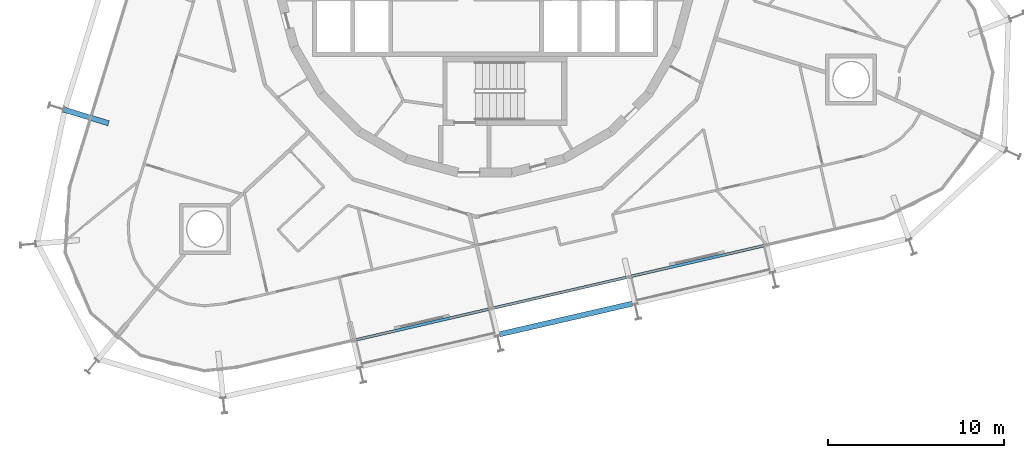
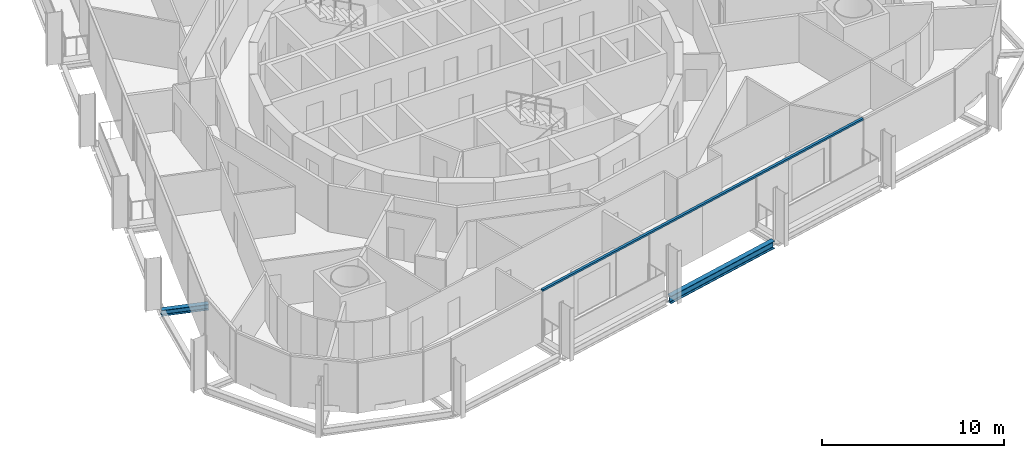
# One storey, part 4 of 18: 2 beams, 1 member, 1 element without a shape of its own.
"""IFC4 building model written with IfcOpenShell, lengths in metres."""

from ifc_helpers import new_model, si_unit, direction, frame, origin, origin_2d, place, context, subcontext, project, spatial, rectangle, i_section, extrude, material, layer, layer_set, material_profile, profile_set, type_object, element, aggregate, save


model = new_model("IFC4")

# Units and contexts
model_context = context("Model", 3, precision=1e-05, world=origin(), true_north=direction((0.0, 1.0)))
body_context = subcontext(model_context, "Body", "Model", "MODEL_VIEW")
ifc_project = project(units=[si_unit("LENGTHUNIT", "METRE"), si_unit("AREAUNIT", "SQUARE_METRE"), si_unit("VOLUMEUNIT", "CUBIC_METRE"), si_unit("PLANEANGLEUNIT", "RADIAN"), si_unit("MASSUNIT", "GRAM", prefix="KILO")], contexts=[model_context])

# Site, building, storey
site_placement = place(None, origin())
site = spatial("IfcSite", under=ifc_project, at=site_placement, CompositionType="ELEMENT")
building_placement = place(site_placement, origin())
building = spatial("IfcBuilding", under=site, at=building_placement, Name="Spindle Arch Residences", CompositionType="ELEMENT")
storey_placement = place(building_placement, frame((0.0, 0.0, 134.39990234375)))
storey = spatial("IfcBuildingStorey", under=building, at=storey_placement, Name="L33", CompositionType="ELEMENT", Elevation=134.39990234375)

# Curtain wall, member
ifc_material_1 = material(Name="Aluminium bronze unitised frame with tinted glass", Category="aluminium")
ifc_layer = layer(ifc_material_1, 0.159912109375)
ifc_layer_set = layer_set([ifc_layer], Name="CW-C typical residential unitised wall")
curtain_wall_type = type_object("IfcCurtainWallType", Name="CW-C typical residential unitised wall", PredefinedType="NOTDEFINED", material=ifc_layer_set)
curtain_wall_placement = place(storey_placement, origin())
curtain_wall = element("IfcCurtainWall", 1, at=curtain_wall_placement, inside=storey, type_object=curtain_wall_type, Name="CW-C L33 run 6", PredefinedType="NOTDEFINED")
ifc_material_2 = material(Name="Aluminium bronze anodised transom", Category="aluminium")
ifc_material_profile_1 = material_profile(ifc_material_2, rectangle(XDim=0.159912109375, YDim=0.1201171875, at=origin_2d()), Name="TR 120x160")
ifc_profile_set_1 = profile_set([ifc_material_profile_1], Name="Aluminium bronze anodised transom")
member_type = type_object("IfcMemberType", Name="Bronze transom 120x160", PredefinedType="USERDEFINED", material=ifc_profile_set_1)
member_placement = place(storey_placement, frame((-7.438232421875, -21.187255859375, 3.06005859375), z_axis=(0.974369784879, 0.224952266747, 0.0), x_axis=(-0.224952266747, 0.974369784879, 0.0)))
member = element("IfcMember", 2, at=member_placement, type_object=member_type, Name="CW-C transom 00", ObjectType="TRANSOM", PredefinedType="USERDEFINED", context=body_context, shape_type="SweptSolid", body=[
    extrude(rectangle(XDim=0.159912109375, YDim=0.1201171875, at=origin_2d()), origin(), (0.0, 0.0, 1.0), 24.02734375),
])
aggregate(curtain_wall, [member])

# Beams
ifc_material_3 = material(Name="Steel S460ML, intumescent coating R 120", Category="steel")
ifc_material_profile_2 = material_profile(ifc_material_3, i_section(OverallWidth=0.300048828125, OverallDepth=0.5, WebThickness=0.014404296875, FlangeThickness=0.028076171875, FilletRadius=0.027099609375, at=origin_2d()), Name="HEB 500")
ifc_profile_set_2 = profile_set([ifc_material_profile_2], Name="Steel S460ML, intumescent coating R 120")
beam_type_1 = type_object("IfcBeamType", Name="Exoskeleton edge beam HEB 500", PredefinedType="BEAM", material=ifc_profile_set_2)
beam_1_placement = place(storey_placement, frame((0.82666015625, -20.849365234375, -0.6298828125), z_axis=(0.974366827477, 0.224965076206, 0.0), x_axis=(-0.224965076206, 0.974366827477, 0.0)))
element("IfcBeam", 3, at=beam_1_placement, inside=storey, type_object=beam_type_1, Name="Exoskeleton edge beam 22", PredefinedType="BEAM", context=body_context, shape_type="SweptSolid", body=[
    extrude(i_section(OverallWidth=0.300048828125, OverallDepth=0.5, WebThickness=0.014404296875, FlangeThickness=0.028076171875, FilletRadius=0.027099609375, at=origin_2d()), origin(), (0.0, 0.0, 1.0), 7.769287109375),
])
ifc_material_4 = material(Name="Steel S460ML, intumescent coating R 120", Category="steel")
ifc_material_profile_3 = material_profile(ifc_material_4, i_section(OverallWidth=0.300048828125, OverallDepth=0.389892578125, WebThickness=0.010986328125, FlangeThickness=0.01904296875, FilletRadius=0.027099609375, at=origin_2d()), Name="HEA 400")
ifc_profile_set_3 = profile_set([ifc_material_profile_3], Name="Steel S460ML, intumescent coating R 120")
beam_type_2 = type_object("IfcBeamType", Name="Floor outrigger HEA 400", PredefinedType="BEAM", material=ifc_profile_set_3)
beam_2_placement = place(storey_placement, frame((-23.947265625, -8.0712890625, -0.574951171875), z_axis=(0.956291475666, -0.292415139091, 0.0), x_axis=(0.292415139091, 0.956291475666, 0.0)))
element("IfcBeam", 4, at=beam_2_placement, inside=storey, type_object=beam_type_2, Name="Floor outrigger 17", PredefinedType="BEAM", context=body_context, shape_type="SweptSolid", body=[
    extrude(i_section(OverallWidth=0.300048828125, OverallDepth=0.389892578125, WebThickness=0.010986328125, FlangeThickness=0.01904296875, FilletRadius=0.027099609375, at=origin_2d()), origin(), (0.0, 0.0, 1.0), 2.64990234375),
])

save(model, "model.ifc")
